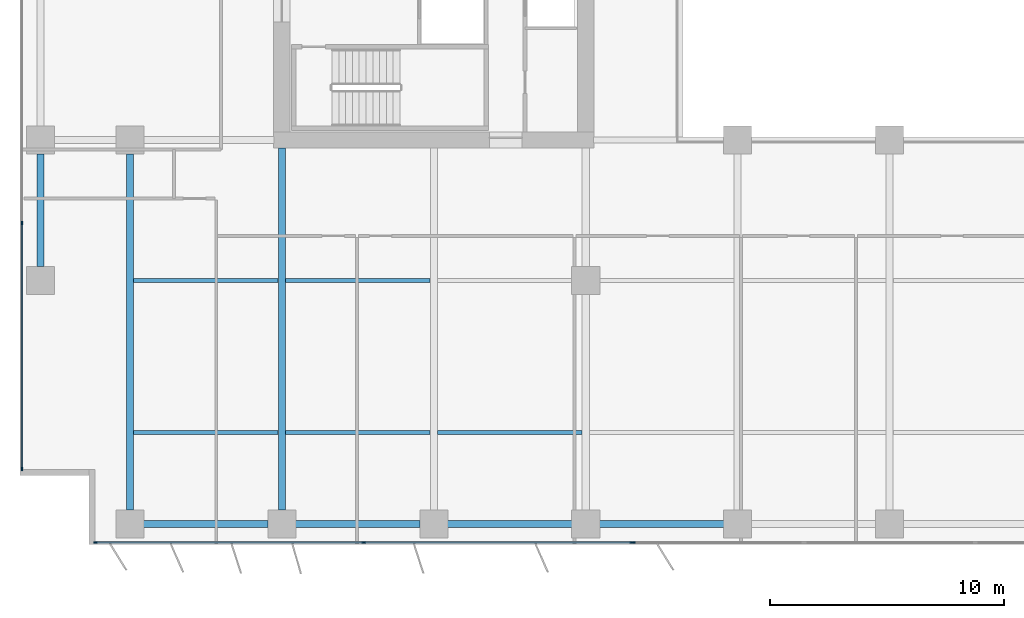
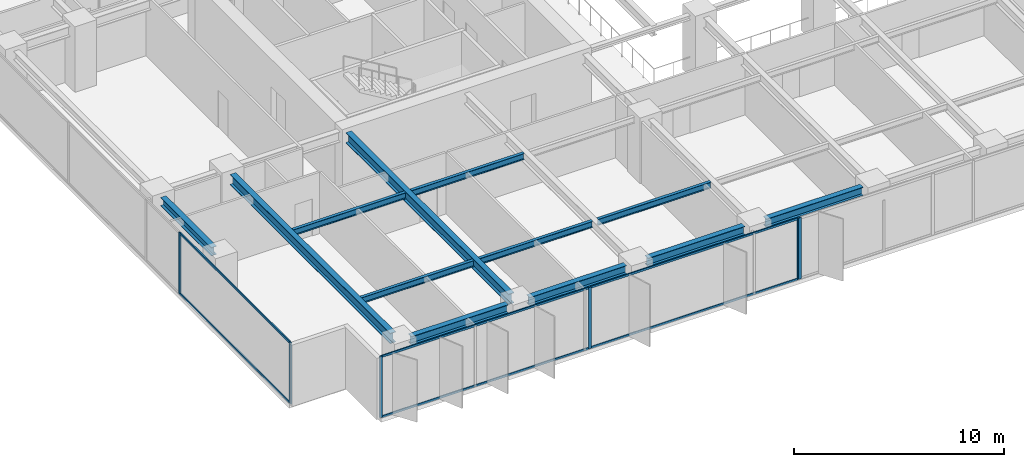
# One storey, part 2 of 20: 12 beams, 12 members, 3 elements without a shape of their own.
"""IFC4 building model written with IfcOpenShell, lengths in metres."""

from ifc_helpers import new_model, si_unit, direction, frame, origin, origin_2d, place, context, subcontext, project, spatial, rectangle, i_section, extrude, material, layer, layer_set, material_profile, profile_set, type_object, element, aggregate, save


model = new_model("IFC4")

# Units and contexts
model_context = context("Model", 3, precision=1e-05, world=origin(), true_north=direction((0.0, 1.0)))
body_context = subcontext(model_context, "Body", "Model", "MODEL_VIEW")
ifc_project = project(units=[si_unit("LENGTHUNIT", "METRE"), si_unit("AREAUNIT", "SQUARE_METRE"), si_unit("VOLUMEUNIT", "CUBIC_METRE"), si_unit("PLANEANGLEUNIT", "RADIAN"), si_unit("MASSUNIT", "GRAM", prefix="KILO")], contexts=[model_context])

# Site, building, storey
site_placement = place(None, origin())
site = spatial("IfcSite", under=ifc_project, at=site_placement, CompositionType="ELEMENT")
building_placement = place(site_placement, origin())
building = spatial("IfcBuilding", under=site, at=building_placement, Name="Putna Gate Headquarters", CompositionType="ELEMENT")
storey_placement = place(building_placement, frame((0.0, 0.0, 131.60009765625)))
storey = spatial("IfcBuildingStorey", under=building, at=storey_placement, Name="L32", CompositionType="ELEMENT", Elevation=131.60009765625)

# Beams
ifc_material_1 = material(Name="Steel S355J2", Category="steel")
ifc_material_profile_1 = material_profile(ifc_material_1, i_section(OverallWidth=0.300048828125, OverallDepth=0.60009765625, WebThickness=0.015380859375, FlangeThickness=0.030029296875, at=origin_2d()), Name="Steel S355J2")
ifc_profile_set_1 = profile_set([ifc_material_profile_1], Name="Steel S355J2")
beam_type_1 = type_object("IfcBeamType", Name="BM-GIRD-Z2-HEB600", PredefinedType="USERDEFINED", material=ifc_profile_set_1)
beam_1_placement = place(storey_placement, frame((6.5, 3.16796875, 3.264892578125), z_axis=(0.0, 1.0, 0.0), x_axis=(-1.0, 0.0, 0.0)))
element("IfcBeam", 1, at=beam_1_placement, inside=storey, type_object=beam_type_1, Name="L32 South Primary Girder X6", ObjectType="GIRDER", PredefinedType="USERDEFINED", context=body_context, shape_type="SweptSolid", body=[
    extrude(i_section(OverallWidth=0.300048828125, OverallDepth=0.60009765625, WebThickness=0.015380859375, FlangeThickness=0.030029296875, at=origin_2d()), origin(), (0.0, 0.0, 1.0), 15.244140625),
])
beam_2_placement = place(storey_placement, frame((13.0, 3.16796875, 3.264892578125), z_axis=(0.0, 1.0, 0.0), x_axis=(-1.0, 0.0, 0.0)))
element("IfcBeam", 2, at=beam_2_placement, inside=storey, type_object=beam_type_1, Name="L32 South Primary Girder X13", ObjectType="GIRDER", PredefinedType="USERDEFINED", context=body_context, shape_type="SweptSolid", body=[
    extrude(i_section(OverallWidth=0.300048828125, OverallDepth=0.60009765625, WebThickness=0.015380859375, FlangeThickness=0.030029296875, at=origin_2d()), origin(), (0.0, 0.0, 1.0), 15.4970703125),
])
ifc_material_profile_2 = material_profile(ifc_material_1, i_section(OverallWidth=0.169921875, OverallDepth=0.360107421875, WebThickness=0.008056640625, FlangeThickness=0.0126953125, at=origin_2d()), Name="Steel S355J2")
ifc_profile_set_2 = profile_set([ifc_material_profile_2], Name="Steel S355J2")
beam_type_2 = type_object("IfcBeamType", Name="BM-SEC-Z2-IPE360", PredefinedType="BEAM", material=ifc_profile_set_2)
for number, where, z_axis, x_axis, name in (
    (3, (6.654052734375, 6.5, 3.385009765625), (1.0, 0.0, 0.0), (0.0, 1.0, 0.0), "L32 South Secondary Beam 1"),
    (4, (6.654052734375, 13.0, 3.385009765625), (1.0, 0.0, 0.0), (0.0, 1.0, 0.0), "L32 South Secondary Beam 1"),
    (5, (13.154052734375, 6.5, 3.385009765625), (1.0, 0.0, 0.0), (0.0, 1.0, 0.0), "L32 South Secondary Beam 2"),
    (6, (13.154052734375, 13.0, 3.385009765625), (1.0, 0.0, 0.0), (0.0, 1.0, 0.0), "L32 South Secondary Beam 2"),
    (7, (19.654052734375, 6.5, 3.385009765625), (1.0, 0.0, 0.0), (0.0, 1.0, 0.0), "L32 South Secondary Beam 3"),
):
    element("IfcBeam", number, at=place(storey_placement, frame(where, z_axis=z_axis, x_axis=x_axis)), inside=storey, type_object=beam_type_2, Name=name, PredefinedType="BEAM", context=body_context, shape_type="SweptSolid", body=[
        extrude(i_section(OverallWidth=0.169921875, OverallDepth=0.360107421875, WebThickness=0.008056640625, FlangeThickness=0.0126953125, at=origin_2d()), origin(), (0.0, 0.0, 1.0), 6.19189453125),
    ])
ifc_material_profile_3 = material_profile(ifc_material_1, i_section(OverallWidth=0.300048828125, OverallDepth=0.489990234375, WebThickness=0.011962890625, FlangeThickness=0.02294921875, at=origin_2d()), Name="Steel S355J2")
ifc_profile_set_3 = profile_set([ifc_material_profile_3], Name="Steel S355J2")
beam_type_3 = type_object("IfcBeamType", Name="BM-SPAN-Z2-HEA500", PredefinedType="SPANDREL", material=ifc_profile_set_3)
for number, where, z_axis, x_axis, name in (
    (8, (7.087890625, 2.580078125, 3.31982421875), (1.0, 0.0, 0.0), (0.0, 1.0, 0.0), "L32 S Perimeter Spandrel 1"),
    (9, (13.587890625, 2.580078125, 3.31982421875), (1.0, 0.0, 0.0), (0.0, 1.0, 0.0), "L32 S Perimeter Spandrel 2"),
    (10, (20.087890625, 2.580078125, 3.31982421875), (1.0, 0.0, 0.0), (0.0, 1.0, 0.0), "L32 S Perimeter Spandrel 3"),
    (11, (26.587890625, 2.580078125, 3.31982421875), (1.0, 0.0, 0.0), (0.0, 1.0, 0.0), "L32 S Perimeter Spandrel 4"),
):
    element("IfcBeam", number, at=place(storey_placement, frame(where, z_axis=z_axis, x_axis=x_axis)), inside=storey, type_object=beam_type_3, Name=name, PredefinedType="SPANDREL", context=body_context, shape_type="SweptSolid", body=[
        extrude(i_section(OverallWidth=0.300048828125, OverallDepth=0.489990234375, WebThickness=0.011962890625, FlangeThickness=0.02294921875, at=origin_2d()), origin(), (0.0, 0.0, 1.0), 5.32421875),
    ])
beam_3_placement = place(storey_placement, frame((2.679931640625, 13.587890625, 3.31982421875), z_axis=(0.0, 1.0, 0.0), x_axis=(-1.0, 0.0, 0.0)))
element("IfcBeam", 12, at=beam_3_placement, inside=storey, type_object=beam_type_3, Name="L32 W End Spandrel 1", PredefinedType="SPANDREL", context=body_context, shape_type="SweptSolid", body=[
    extrude(i_section(OverallWidth=0.300048828125, OverallDepth=0.489990234375, WebThickness=0.011962890625, FlangeThickness=0.02294921875, at=origin_2d()), origin(), (0.0, 0.0, 1.0), 4.82421875),
])

# Curtain wall, members
ifc_material_2 = material(Name="Anodised bronze aluminium curtain wall", Category="aluminium")
ifc_layer_1 = layer(ifc_material_2, 0.159912109375)
ifc_layer_set_1 = layer_set([ifc_layer_1], Name="Anodised bronze aluminium curtain wall")
curtain_wall_type_1 = type_object("IfcCurtainWallType", Name="CW-SYS-Z2", PredefinedType="USERDEFINED", material=ifc_layer_set_1)
curtain_wall_1_placement = place(storey_placement, origin())
curtain_wall_1 = element("IfcCurtainWall", 13, at=curtain_wall_1_placement, inside=storey, type_object=curtain_wall_type_1, Name="L32 South West Curtain Wall", ObjectType="STICK CURTAIN WALL", PredefinedType="USERDEFINED")
ifc_material_3 = material(Name="Anodised bronze aluminium EN AW-6060", Category="aluminium")
ifc_material_profile_4 = material_profile(ifc_material_3, rectangle(XDim=0.06494140625, YDim=0.159912109375, at=origin_2d()), Name="Anodised bronze aluminium EN AW-6060")
ifc_profile_set_4 = profile_set([ifc_material_profile_4], Name="Anodised bronze aluminium EN AW-6060")
member_type_1 = type_object("IfcMemberType", Name="MULL-CWM-2", PredefinedType="MULLION", material=ifc_profile_set_4)
member_1_placement = place(storey_placement, frame((5.032470703125, 1.780029296875, 0.0), z_axis=(0.0, 0.0, 1.0), x_axis=(0.0, 1.0, 0.0)))
member_1 = element("IfcMember", 14, at=member_1_placement, type_object=member_type_1, Name="CWS-2 mullion 1", PredefinedType="MULLION", context=body_context, shape_type="SweptSolid", body=[
    extrude(rectangle(XDim=0.06494140625, YDim=0.159912109375, at=origin_2d()), origin(), (0.0, 0.0, 1.0), 3.56494140625),
])
member_2_placement = place(storey_placement, frame((16.5, 1.780029296875, 0.0), z_axis=(0.0, 0.0, 1.0), x_axis=(0.0, 1.0, 0.0)))
member_2 = element("IfcMember", 15, at=member_2_placement, type_object=member_type_1, Name="CWS-2 mullion 2", PredefinedType="MULLION", context=body_context, shape_type="SweptSolid", body=[
    extrude(rectangle(XDim=0.06494140625, YDim=0.159912109375, at=origin_2d()), origin(), (0.0, 0.0, 1.0), 3.56494140625),
])
member_3_placement = place(storey_placement, frame((27.967529296875, 1.780029296875, 0.0), z_axis=(0.0, 0.0, 1.0), x_axis=(0.0, 1.0, 0.0)))
member_3 = element("IfcMember", 16, at=member_3_placement, type_object=member_type_1, Name="CWS-2 mullion 3", PredefinedType="MULLION", context=body_context, shape_type="SweptSolid", body=[
    extrude(rectangle(XDim=0.06494140625, YDim=0.159912109375, at=origin_2d()), origin(), (0.0, 0.0, 1.0), 3.56494140625),
])

curtain_wall_2_placement = place(storey_placement, origin())
curtain_wall_2 = element("IfcCurtainWall", 17, at=curtain_wall_2_placement, inside=storey, type_object=curtain_wall_type_1, Name="L32 West Curtain Wall", ObjectType="STICK CURTAIN WALL", PredefinedType="USERDEFINED")
member_4_placement = place(storey_placement, frame((1.8798828125, 4.9326171875, 0.0), z_axis=(0.0, 0.0, 1.0), x_axis=(-1.0, 0.0, 0.0)))
member_4 = element("IfcMember", 18, at=member_4_placement, type_object=member_type_1, Name="CWS-2 mullion 1", PredefinedType="MULLION", context=body_context, shape_type="SweptSolid", body=[
    extrude(rectangle(XDim=0.06494140625, YDim=0.159912109375, at=origin_2d()), origin(), (0.0, 0.0, 1.0), 3.56494140625),
])
member_5_placement = place(storey_placement, frame((1.8798828125, 15.449951171875, 0.0), z_axis=(0.0, 0.0, 1.0), x_axis=(-1.0, 0.0, 0.0)))
member_5 = element("IfcMember", 19, at=member_5_placement, type_object=member_type_1, Name="CWS-2 mullion 2", PredefinedType="MULLION", context=body_context, shape_type="SweptSolid", body=[
    extrude(rectangle(XDim=0.06494140625, YDim=0.159912109375, at=origin_2d()), origin(), (0.0, 0.0, 1.0), 3.56494140625),
])

# Curtain wall, member
ifc_layer_2 = layer(ifc_material_2, 0.179931640625)
ifc_layer_set_2 = layer_set([ifc_layer_2], Name="Anodised bronze aluminium curtain wall")
curtain_wall_type_2 = type_object("IfcCurtainWallType", Name="CW-SYS-ATR", PredefinedType="USERDEFINED", material=ifc_layer_set_2)
curtain_wall_3_placement = place(storey_placement, origin())
curtain_wall_3 = element("IfcCurtainWall", 20, at=curtain_wall_3_placement, inside=storey, type_object=curtain_wall_type_2, Name="L32 South Atrium Clear Glazing", ObjectType="ATRIUM GLAZING", PredefinedType="USERDEFINED")
ifc_material_profile_5 = material_profile(ifc_material_3, rectangle(XDim=0.070068359375, YDim=0.179931640625, at=origin_2d()), Name="Anodised bronze aluminium EN AW-6060")
ifc_profile_set_5 = profile_set([ifc_material_profile_5], Name="Anodised bronze aluminium EN AW-6060")
member_type_2 = type_object("IfcMemberType", Name="MULL-CWM-AT", PredefinedType="MULLION", material=ifc_profile_set_5)
member_6_placement = place(storey_placement, frame((28.034912109375, 1.780029296875, 0.0), z_axis=(0.0, 0.0, 1.0), x_axis=(0.0, 1.0, 0.0)))
member_6 = element("IfcMember", 21, at=member_6_placement, type_object=member_type_2, Name="CWS-AT mullion 1", PredefinedType="MULLION", context=body_context, shape_type="SweptSolid", body=[
    extrude(rectangle(XDim=0.070068359375, YDim=0.179931640625, at=origin_2d()), origin(), (0.0, 0.0, 1.0), 3.56494140625),
])
aggregate(curtain_wall_3, [member_6])

# Member
ifc_material_profile_6 = material_profile(ifc_material_3, rectangle(XDim=0.06494140625, YDim=0.1201171875, at=origin_2d()), Name="Anodised bronze aluminium EN AW-6060")
ifc_profile_set_6 = profile_set([ifc_material_profile_6], Name="Anodised bronze aluminium EN AW-6060")
member_type_3 = type_object("IfcMemberType", Name="TRAN-CWT-2", PredefinedType="USERDEFINED", material=ifc_profile_set_6)
member_7_placement = place(storey_placement, frame((5.06494140625, 1.780029296875, 0.032470703125), z_axis=(1.0, 0.0, 0.0), x_axis=(0.0, 1.0, 0.0)))
member_7 = element("IfcMember", 22, at=member_7_placement, type_object=member_type_3, Name="CWS-2 transom 1.1", ObjectType="TRANSOM", PredefinedType="USERDEFINED", context=body_context, shape_type="SweptSolid", body=[
    extrude(rectangle(XDim=0.06494140625, YDim=0.1201171875, at=origin_2d()), origin(), (0.0, 0.0, 1.0), 11.402587890625),
])

member_8_placement = place(storey_placement, frame((5.06494140625, 1.780029296875, 3.532470703125), z_axis=(1.0, 0.0, 0.0), x_axis=(0.0, 1.0, 0.0)))
member_8 = element("IfcMember", 23, at=member_8_placement, type_object=member_type_3, Name="CWS-2 transom 1.2", ObjectType="TRANSOM", PredefinedType="USERDEFINED", context=body_context, shape_type="SweptSolid", body=[
    extrude(rectangle(XDim=0.06494140625, YDim=0.1201171875, at=origin_2d()), origin(), (0.0, 0.0, 1.0), 11.402587890625),
])

member_9_placement = place(storey_placement, frame((16.532470703125, 1.780029296875, 0.032470703125), z_axis=(1.0, 0.0, 0.0), x_axis=(0.0, 1.0, 0.0)))
member_9 = element("IfcMember", 24, at=member_9_placement, type_object=member_type_3, Name="CWS-2 transom 2.1", ObjectType="TRANSOM", PredefinedType="USERDEFINED", context=body_context, shape_type="SweptSolid", body=[
    extrude(rectangle(XDim=0.06494140625, YDim=0.1201171875, at=origin_2d()), origin(), (0.0, 0.0, 1.0), 11.402587890625),
])

member_10_placement = place(storey_placement, frame((16.532470703125, 1.780029296875, 3.532470703125), z_axis=(1.0, 0.0, 0.0), x_axis=(0.0, 1.0, 0.0)))
member_10 = element("IfcMember", 25, at=member_10_placement, type_object=member_type_3, Name="CWS-2 transom 2.2", ObjectType="TRANSOM", PredefinedType="USERDEFINED", context=body_context, shape_type="SweptSolid", body=[
    extrude(rectangle(XDim=0.06494140625, YDim=0.1201171875, at=origin_2d()), origin(), (0.0, 0.0, 1.0), 11.402587890625),
])

aggregate(curtain_wall_1, [member_1, member_2, member_3, member_7, member_8, member_9, member_10])

member_11_placement = place(storey_placement, frame((1.8798828125, 4.965087890625, 0.032470703125), z_axis=(0.0, 1.0, 0.0), x_axis=(-1.0, 0.0, 0.0)))
member_11 = element("IfcMember", 26, at=member_11_placement, type_object=member_type_3, Name="CWS-2 transom 1.1", ObjectType="TRANSOM", PredefinedType="USERDEFINED", context=body_context, shape_type="SweptSolid", body=[
    extrude(rectangle(XDim=0.06494140625, YDim=0.1201171875, at=origin_2d()), origin(), (0.0, 0.0, 1.0), 10.452392578125),
])

member_12_placement = place(storey_placement, frame((1.8798828125, 4.965087890625, 3.532470703125), z_axis=(0.0, 1.0, 0.0), x_axis=(-1.0, 0.0, 0.0)))
member_12 = element("IfcMember", 27, at=member_12_placement, type_object=member_type_3, Name="CWS-2 transom 1.2", ObjectType="TRANSOM", PredefinedType="USERDEFINED", context=body_context, shape_type="SweptSolid", body=[
    extrude(rectangle(XDim=0.06494140625, YDim=0.1201171875, at=origin_2d()), origin(), (0.0, 0.0, 1.0), 10.452392578125),
])

aggregate(curtain_wall_2, [member_4, member_5, member_11, member_12])

save(model, "model.ifc")
